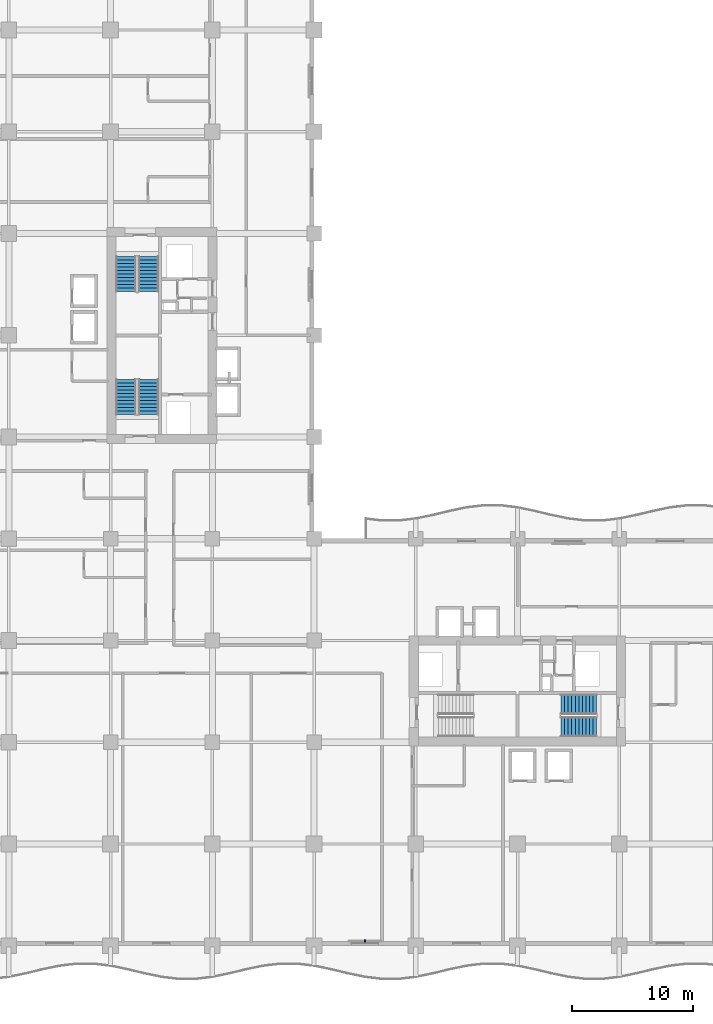
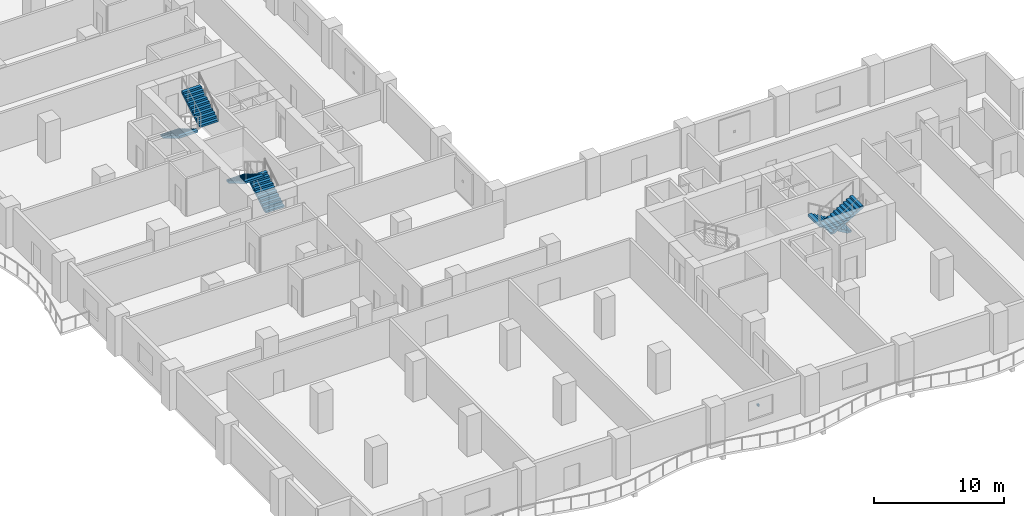
# One storey, part 12 of 18: 6 stair flights, 1 discrete accessory, 3 elements without a shape of their own.
"""IFC4 building model written with IfcOpenShell, lengths in metres."""

from ifc_helpers import new_model, si_unit, direction, frame, origin, origin_2d, place, context, subcontext, project, spatial, polyline, rectangle, outline, extrude, material, type_object, element, aggregate, save


model = new_model("IFC4")

# Units and contexts
model_context = context("Model", 3, precision=1e-05, world=origin(), true_north=direction((0.0, 1.0)))
body_context = subcontext(model_context, "Body", "Model", "MODEL_VIEW")
ifc_project = project(units=[si_unit("LENGTHUNIT", "METRE"), si_unit("AREAUNIT", "SQUARE_METRE"), si_unit("VOLUMEUNIT", "CUBIC_METRE"), si_unit("PLANEANGLEUNIT", "RADIAN"), si_unit("MASSUNIT", "GRAM", prefix="KILO")], contexts=[model_context])

# Site, building, storey
site_placement = place(None, origin())
site = spatial("IfcSite", under=ifc_project, at=site_placement, CompositionType="ELEMENT")
building_placement = place(site_placement, origin())
building = spatial("IfcBuilding", under=site, at=building_placement, Name="Koriwani Terraces Tower", CompositionType="ELEMENT")
storey_placement = place(building_placement, frame((0.0, 0.0, 145.60009765625)))
storey = spatial("IfcBuildingStorey", under=building, at=storey_placement, Name="L35", CompositionType="ELEMENT", Elevation=145.60009765625)

# Stair, stair flights
ifc_material_1 = material(Name="Concrete C40/50", Category="concrete")
stair_type = type_object("IfcStairType", Name="STAIR_CORE_DOGLEG_1650", PredefinedType="TWO_STRAIGHT_RUN_STAIR", material=ifc_material_1)
stair_1_placement = place(storey_placement, origin())
stair_1 = element("IfcStair", 1, at=stair_1_placement, inside=storey, type_object=stair_type, Name="L35 West Core Exit Stair 1", PredefinedType="HALF_TURN_STAIR")
stair_flight_type = type_object("IfcStairFlightType", Name="STAIR_FLIGHT_RC_1650", PredefinedType="STRAIGHT", material=ifc_material_1)
stair_flight_1_placement = place(storey_placement, frame((19.925048828125, 43.85009765625, 0.0), z_axis=(0.0, 0.0, 1.0), x_axis=(0.0, 1.0, 0.0)))
stair_flight_1 = element("IfcStairFlight", 2, at=stair_flight_1_placement, type_object=stair_flight_type, Name="ST-W1 flight 1", NumberOfRisers=11, NumberOfTreads=10, PredefinedType="STRAIGHT", RiserHeight=0.172727273, TreadLength=0.29, context=body_context, shape_type="SweptSolid", body=[
    extrude(outline(polyline([(0.0, 0.0), (0.0, 0.172607421875), (0.2900390625, 0.172607421875), (0.2900390625, 0.345458984375), (0.580078125, 0.345458984375), (0.580078125, 0.51806640625), (0.8701171875, 0.51806640625), (0.8701171875, 0.69091796875), (1.159912109375, 0.69091796875), (1.159912109375, 0.863525390625), (1.449951171875, 0.863525390625), (1.449951171875, 1.036376953125), (1.739990234375, 1.036376953125), (1.739990234375, 1.208984375), (2.030029296875, 1.208984375), (2.030029296875, 1.3818359375), (2.320068359375, 1.3818359375), (2.320068359375, 1.554443359375), (2.610107421875, 1.554443359375), (2.610107421875, 1.727294921875), (2.89990234375, 1.727294921875), (2.89990234375, 1.89990234375), (2.89990234375, 1.517822265625), (0.3515625, 0.0), (0.0, 0.0)])), frame((0.0, 0.824951171875, 0.0), z_axis=(0.0, -1.0, 0.0), x_axis=(1.0, 0.0, 0.0)), (0.0, 0.0, 1.0), 1.64990234375),
])
stair_flight_2_placement = place(storey_placement, frame((18.074951171875, 46.75, 1.89990234375), z_axis=(0.0, 0.0, 1.0), x_axis=(0.0, -1.0, 0.0)))
stair_flight_2 = element("IfcStairFlight", 3, at=stair_flight_2_placement, type_object=stair_flight_type, Name="ST-W1 flight 2", NumberOfRisers=11, NumberOfTreads=10, PredefinedType="STRAIGHT", RiserHeight=0.172727273, TreadLength=0.29, context=body_context, shape_type="SweptSolid", body=[
    extrude(outline(polyline([(0.0, 0.0), (0.0, 0.172607421875), (0.2900390625, 0.172607421875), (0.2900390625, 0.345458984375), (0.580078125, 0.345458984375), (0.580078125, 0.51806640625), (0.8701171875, 0.51806640625), (0.8701171875, 0.69091796875), (1.159912109375, 0.69091796875), (1.159912109375, 0.863525390625), (1.449951171875, 0.863525390625), (1.449951171875, 1.036376953125), (1.739990234375, 1.036376953125), (1.739990234375, 1.208984375), (2.030029296875, 1.208984375), (2.030029296875, 1.3818359375), (2.320068359375, 1.3818359375), (2.320068359375, 1.554443359375), (2.610107421875, 1.554443359375), (2.610107421875, 1.727294921875), (2.89990234375, 1.727294921875), (2.89990234375, 1.89990234375), (2.89990234375, 1.517822265625), (0.3515625, 0.0), (0.0, 0.0)])), frame((0.0, 0.824951171875, 0.0), z_axis=(0.0, -1.0, 0.0), x_axis=(1.0, 0.0, 0.0)), (0.0, 0.0, 1.0), 1.64990234375),
])
aggregate(stair_1, [stair_flight_1, stair_flight_2])

stair_2_placement = place(storey_placement, origin())
stair_2 = element("IfcStair", 4, at=stair_2_placement, inside=storey, type_object=stair_type, Name="L35 West Core Exit Stair 2", PredefinedType="HALF_TURN_STAIR")
stair_flight_3_placement = place(storey_placement, frame((18.074951171875, 56.89990234375, 0.0), z_axis=(0.0, 0.0, 1.0), x_axis=(0.0, -1.0, 0.0)))
stair_flight_3 = element("IfcStairFlight", 5, at=stair_flight_3_placement, type_object=stair_flight_type, Name="ST-W2 flight 1", NumberOfRisers=11, NumberOfTreads=10, PredefinedType="STRAIGHT", RiserHeight=0.172727273, TreadLength=0.29, context=body_context, shape_type="SweptSolid", body=[
    extrude(outline(polyline([(0.0, 0.0), (0.0, 0.172607421875), (0.2900390625, 0.172607421875), (0.2900390625, 0.345458984375), (0.580078125, 0.345458984375), (0.580078125, 0.51806640625), (0.8701171875, 0.51806640625), (0.8701171875, 0.69091796875), (1.159912109375, 0.69091796875), (1.159912109375, 0.863525390625), (1.449951171875, 0.863525390625), (1.449951171875, 1.036376953125), (1.739990234375, 1.036376953125), (1.739990234375, 1.208984375), (2.030029296875, 1.208984375), (2.030029296875, 1.3818359375), (2.320068359375, 1.3818359375), (2.320068359375, 1.554443359375), (2.610107421875, 1.554443359375), (2.610107421875, 1.727294921875), (2.89990234375, 1.727294921875), (2.89990234375, 1.89990234375), (2.89990234375, 1.517822265625), (0.3515625, 0.0), (0.0, 0.0)])), frame((0.0, 0.824951171875, 0.0), z_axis=(0.0, -1.0, 0.0), x_axis=(1.0, 0.0, 0.0)), (0.0, 0.0, 1.0), 1.64990234375),
])
stair_flight_4_placement = place(storey_placement, frame((19.925048828125, 54.0, 1.89990234375), z_axis=(0.0, 0.0, 1.0), x_axis=(0.0, 1.0, 0.0)))
stair_flight_4 = element("IfcStairFlight", 6, at=stair_flight_4_placement, type_object=stair_flight_type, Name="ST-W2 flight 2", NumberOfRisers=11, NumberOfTreads=10, PredefinedType="STRAIGHT", RiserHeight=0.172727273, TreadLength=0.29, context=body_context, shape_type="SweptSolid", body=[
    extrude(outline(polyline([(0.0, 0.0), (0.0, 0.172607421875), (0.2900390625, 0.172607421875), (0.2900390625, 0.345458984375), (0.580078125, 0.345458984375), (0.580078125, 0.51806640625), (0.8701171875, 0.51806640625), (0.8701171875, 0.69091796875), (1.159912109375, 0.69091796875), (1.159912109375, 0.863525390625), (1.449951171875, 0.863525390625), (1.449951171875, 1.036376953125), (1.739990234375, 1.036376953125), (1.739990234375, 1.208984375), (2.030029296875, 1.208984375), (2.030029296875, 1.3818359375), (2.320068359375, 1.3818359375), (2.320068359375, 1.554443359375), (2.610107421875, 1.554443359375), (2.610107421875, 1.727294921875), (2.89990234375, 1.727294921875), (2.89990234375, 1.89990234375), (2.89990234375, 1.517822265625), (0.3515625, 0.0), (0.0, 0.0)])), frame((0.0, 0.824951171875, 0.0), z_axis=(0.0, -1.0, 0.0), x_axis=(1.0, 0.0, 0.0)), (0.0, 0.0, 1.0), 1.64990234375),
])
aggregate(stair_2, [stair_flight_3, stair_flight_4])

stair_3_placement = place(storey_placement, origin())
stair_3 = element("IfcStair", 7, at=stair_3_placement, inside=storey, type_object=stair_type, Name="L35 East Core Exit Stair 2", PredefinedType="HALF_TURN_STAIR")
stair_flight_5_placement = place(storey_placement, frame((56.89990234375, 19.925048828125, 0.0), z_axis=(0.0, 0.0, 1.0), x_axis=(-1.0, 0.0, 0.0)))
stair_flight_5 = element("IfcStairFlight", 8, at=stair_flight_5_placement, type_object=stair_flight_type, Name="ST-E2 flight 1", NumberOfRisers=11, NumberOfTreads=10, PredefinedType="STRAIGHT", RiserHeight=0.172727273, TreadLength=0.29, context=body_context, shape_type="SweptSolid", body=[
    extrude(outline(polyline([(0.0, 0.0), (0.0, 0.172607421875), (0.2900390625, 0.172607421875), (0.2900390625, 0.345458984375), (0.580078125, 0.345458984375), (0.580078125, 0.51806640625), (0.8701171875, 0.51806640625), (0.8701171875, 0.69091796875), (1.159912109375, 0.69091796875), (1.159912109375, 0.863525390625), (1.449951171875, 0.863525390625), (1.449951171875, 1.036376953125), (1.739990234375, 1.036376953125), (1.739990234375, 1.208984375), (2.030029296875, 1.208984375), (2.030029296875, 1.3818359375), (2.320068359375, 1.3818359375), (2.320068359375, 1.554443359375), (2.610107421875, 1.554443359375), (2.610107421875, 1.727294921875), (2.89990234375, 1.727294921875), (2.89990234375, 1.89990234375), (2.89990234375, 1.517822265625), (0.3515625, 0.0), (0.0, 0.0)])), frame((0.0, 0.824951171875, 0.0), z_axis=(0.0, -1.0, 0.0), x_axis=(1.0, 0.0, 0.0)), (0.0, 0.0, 1.0), 1.64990234375),
])
stair_flight_6_placement = place(storey_placement, frame((54.0, 18.074951171875, 1.89990234375), z_axis=(0.0, 0.0, 1.0), x_axis=(1.0, 0.0, 0.0)))
stair_flight_6 = element("IfcStairFlight", 9, at=stair_flight_6_placement, type_object=stair_flight_type, Name="ST-E2 flight 2", NumberOfRisers=11, NumberOfTreads=10, PredefinedType="STRAIGHT", RiserHeight=0.172727273, TreadLength=0.29, context=body_context, shape_type="SweptSolid", body=[
    extrude(outline(polyline([(0.0, 0.0), (0.0, 0.172607421875), (0.2900390625, 0.172607421875), (0.2900390625, 0.345458984375), (0.580078125, 0.345458984375), (0.580078125, 0.51806640625), (0.8701171875, 0.51806640625), (0.8701171875, 0.69091796875), (1.159912109375, 0.69091796875), (1.159912109375, 0.863525390625), (1.449951171875, 0.863525390625), (1.449951171875, 1.036376953125), (1.739990234375, 1.036376953125), (1.739990234375, 1.208984375), (2.030029296875, 1.208984375), (2.030029296875, 1.3818359375), (2.320068359375, 1.3818359375), (2.320068359375, 1.554443359375), (2.610107421875, 1.554443359375), (2.610107421875, 1.727294921875), (2.89990234375, 1.727294921875), (2.89990234375, 1.89990234375), (2.89990234375, 1.517822265625), (0.3515625, 0.0), (0.0, 0.0)])), frame((0.0, 0.824951171875, 0.0), z_axis=(0.0, -1.0, 0.0), x_axis=(1.0, 0.0, 0.0)), (0.0, 0.0, 1.0), 1.64990234375),
])
aggregate(stair_3, [stair_flight_5, stair_flight_6])

# Discrete accessory
ifc_material_2 = material(Name="Steel ASTM A572 Grade 50", Category="steel")
discrete_accessory_type = type_object("IfcDiscreteAccessoryType", Name="BAGUETTE_STANDOFF_BRACKET", PredefinedType="BRACKET", material=ifc_material_2)
discrete_accessory_placement = place(storey_placement, frame((37.800048828125, 0.389892578125, 1.68505859375), z_axis=(0.0, 0.0, 1.0), x_axis=(-1.0, 0.0, 0.0)))
element("IfcDiscreteAccessory", 10, at=discrete_accessory_placement, inside=storey, type_object=discrete_accessory_type, Name="L35 Terracotta Baguette Bracket (S-12)", PredefinedType="BRACKET", context=body_context, shape_type="SweptSolid", body=[
    extrude(rectangle(XDim=0.159912109375, YDim=0.199951171875, at=origin_2d()), origin(), (0.0, 0.0, 1.0), 0.179931640625),
])

save(model, "model.ifc")
